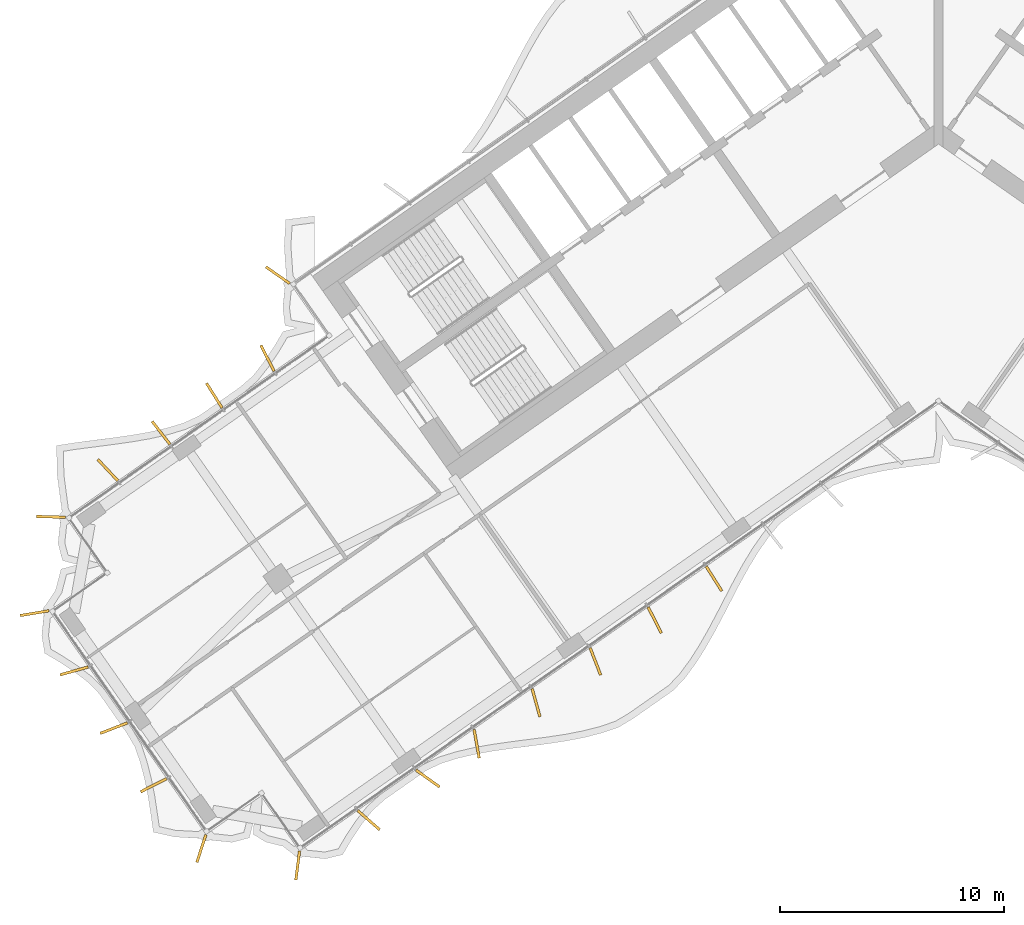
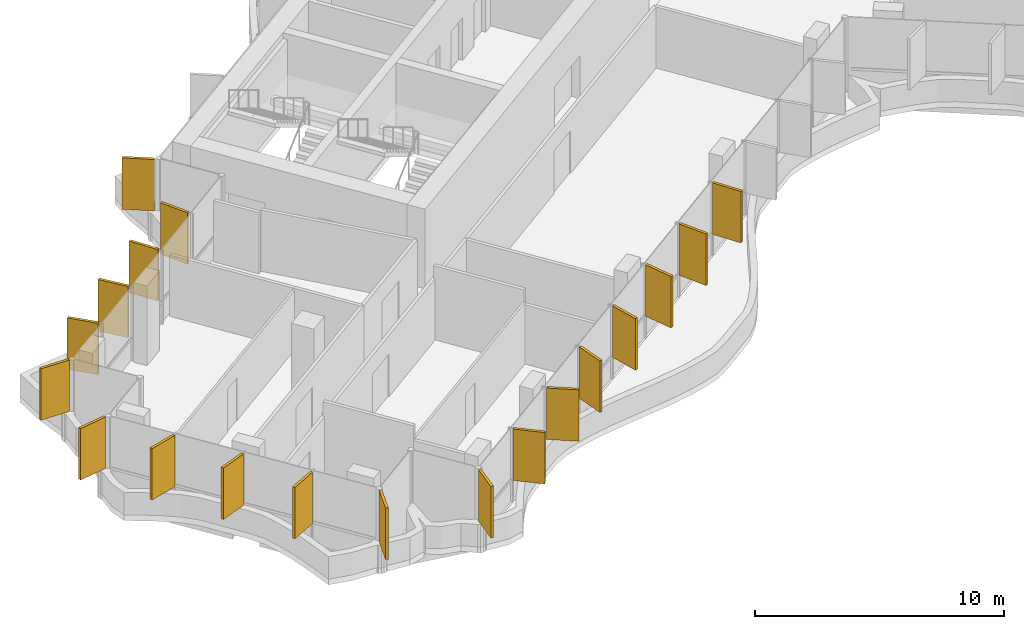
# One storey, part 17 of 22: 19 shading devices.
"""IFC4 building model written with IfcOpenShell, lengths in metres."""

from ifc_helpers import new_model, si_unit, direction, frame, origin, origin_2d, place, context, subcontext, project, spatial, rectangle, extrude, material, layer, layer_set, type_object, element, save


model = new_model("IFC4")

# Units and contexts
model_context = context("Model", 3, precision=1e-05, world=origin(), true_north=direction((0.0, 1.0)))
body_context = subcontext(model_context, "Body", "Model", "MODEL_VIEW")
ifc_project = project(units=[si_unit("LENGTHUNIT", "METRE"), si_unit("AREAUNIT", "SQUARE_METRE"), si_unit("VOLUMEUNIT", "CUBIC_METRE"), si_unit("PLANEANGLEUNIT", "RADIAN"), si_unit("MASSUNIT", "GRAM", prefix="KILO")], contexts=[model_context])

# Site, building, storey
site_placement = place(None, origin())
site = spatial("IfcSite", under=ifc_project, at=site_placement, CompositionType="ELEMENT")
building_placement = place(site_placement, origin())
building = spatial("IfcBuilding", under=site, at=building_placement, Name="Tel Ilan Convention Tower", CompositionType="ELEMENT")
storey_placement = place(building_placement, frame((0.0, 0.0, 135.89990234375)))
storey = spatial("IfcBuildingStorey", under=building, at=storey_placement, Name="L30", CompositionType="ELEMENT", Elevation=135.89990234375)

# Shading devices
ifc_material = material(Name="Aluminium, bronze anodised", Category="aluminium")
ifc_layer = layer(ifc_material, 0.1201171875)
ifc_layer_set = layer_set([ifc_layer], Name="FIN BRONZE 1300x120")
shading_device_type = type_object("IfcShadingDeviceType", Name="FIN BRONZE 1300x120", PredefinedType="USERDEFINED", material=ifc_layer_set)
for number, where, z_axis, x_axis, name in (
    (1, (-29.515625, -7.081787109375, 1.10009765625), (0.0, 0.0, 1.0), (-0.819152044289, 0.573576436351, 0.0), "FIN"),
    (2, (-29.9755859375, -10.7939453125, 1.10009765625), (0.0, 0.0, 1.0), (-0.448799180206, 0.893632640321, 0.0), "FIN"),
    (3, (-32.353515625, -12.458740234375, 1.10009765625), (0.0, 0.0, 1.0), (-0.533204432798, 0.845986425922, 0.0), "FIN"),
    (4, (-34.7314453125, -14.123779296875, 1.10009765625), (0.0, 0.0, 1.0), (-0.612600545196, 0.790392669516, 0.0), "FIN"),
    (5, (-37.109130859375, -15.7890625, 1.10009765625), (0.0, 0.0, 1.0), (-0.686241637865, 0.727373641577, 0.0), "FIN"),
    (6, (-39.642578125, -17.877197265625, 1.10009765625), (0.0, 0.0, 1.0), (-0.999576950082, 0.029084718749, 0.0), "FIN"),
    (7, (-40.3818359375, -22.178955078125, 1.10009765625), (0.0, 0.0, 1.0), (-0.986445172547, -0.16409119891, 0.0), "FIN"),
    (8, (-38.6142578125, -24.759521484375, 1.10009765625), (0.0, 0.0, 1.0), (-0.963370878614, -0.268172612768, 0.0), "FIN"),
    (9, (-36.84033203125, -27.314453125, 1.10009765625), (0.0, 0.0, 1.0), (-0.932883704733, -0.360177724803, 0.0), "FIN"),
    (10, (-35.060791015625, -29.8671875, 1.10009765625), (0.0, 0.0, 1.0), (-0.893632640321, -0.448799180206, 0.0), "FIN"),
    (11, (-32.9296875, -32.6943359375, 1.10009765625), (0.0, 0.0, 1.0), (-0.314544756146, -0.949242643575, 0.0), "FIN"),
    (12, (-28.627685546875, -33.453125, 1.10009765625), (0.0, 0.0, 1.0), (-0.125718016748, -0.992066016082, 0.0), "FIN"),
    (13, (-25.452880859375, -31.427734375, 1.10009765625), (0.0, 0.0, 1.0), (0.753435896329, -0.657521368568, 0.0), "FIN"),
    (14, (-22.815673828125, -29.565673828125, 1.10009765625), (0.0, 0.0, 1.0), (0.813552070258, -0.581492071294, 0.0), "FIN"),
    (15, (-20.63330078125, -28.015380859375, 1.10009765625), (0.0, 0.0, 1.0), (0.173648177667, -0.984807753012, 0.0), "FIN"),
    (16, (-17.97998046875, -26.179931640625, 1.10009765625), (0.0, 0.0, 1.0), (0.268172612768, -0.963370878614, 0.0), "FIN"),
    (17, (-15.328369140625, -24.33837890625, 1.10009765625), (0.0, 0.0, 1.0), (0.360177724803, -0.932883704733, 0.0), "FIN"),
    (18, (-12.678955078125, -22.4912109375, 1.10009765625), (0.0, 0.0, 1.0), (0.448799180206, -0.893632640321, 0.0), "FIN"),
    (19, (-10.0322265625, -20.638427734375, 1.10009765625), (0.0, 0.0, 1.0), (0.533204432798, -0.845986425922, 0.0), "FIN"),
):
    element("IfcShadingDevice", number, at=place(storey_placement, frame(where, z_axis=z_axis, x_axis=x_axis)), inside=storey, type_object=shading_device_type, Name=name, ObjectType="FIN", PredefinedType="USERDEFINED", context=body_context, shape_type="SweptSolid", body=[
        extrude(rectangle(XDim=1.300048828125, YDim=0.1201171875, at=origin_2d()), origin(), (0.0, 0.0, 1.0), 2.52001953125),
    ])

save(model, "model.ifc")
